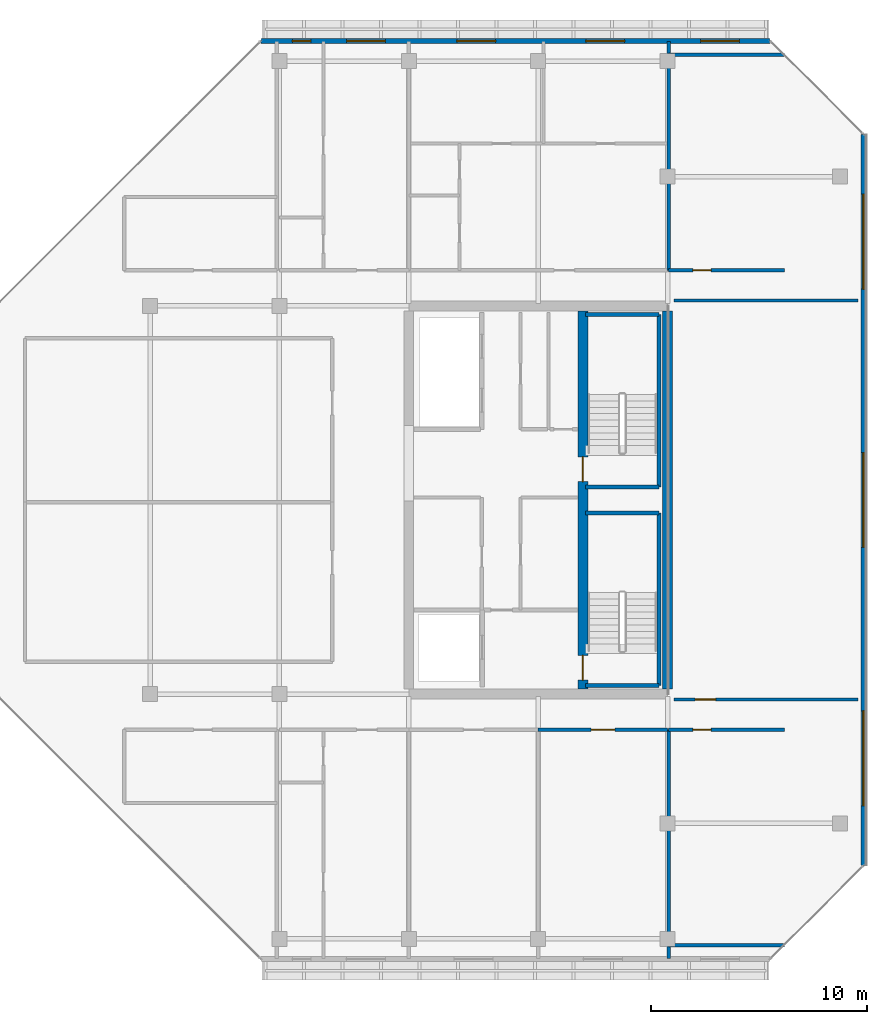
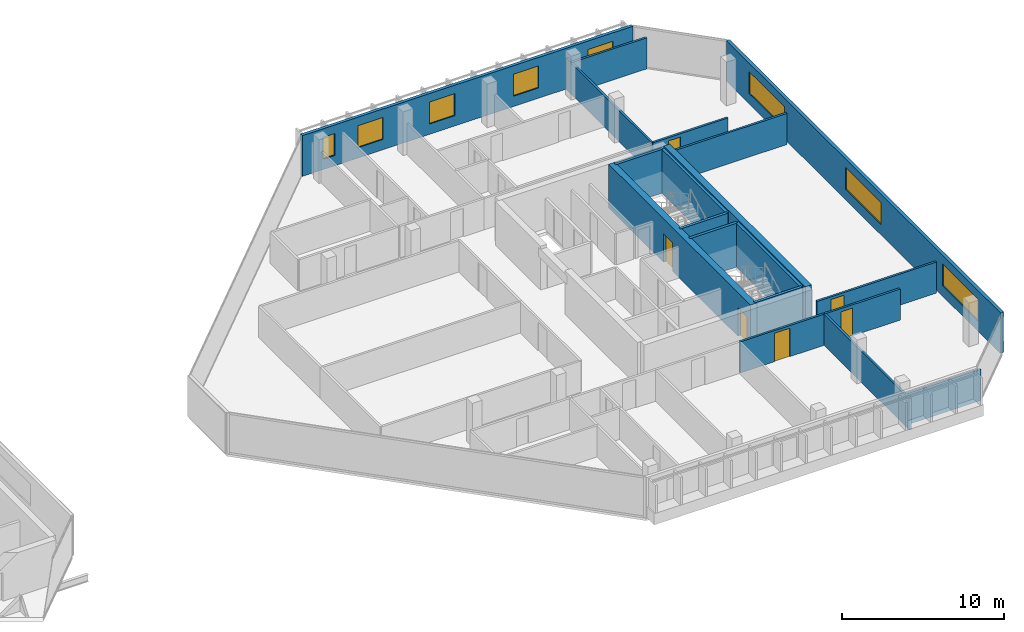
# One storey, part 24 of 28: 19 walls, 8 windows, 6 doors, 14 openings.
"""IFC4 building model written with IfcOpenShell, lengths in metres."""

from ifc_helpers import new_model, si_unit, direction, frame, frame_2d, origin, place, context, subcontext, project, spatial, rectangle, extrude, material, layer, layer_set, type_object, element, fill, save


model = new_model("IFC4")

# Units and contexts
model_context = context("Model", 3, precision=1e-05, world=origin(), true_north=direction((0.0, 1.0)))
body_context = subcontext(model_context, "Body", "Model", "MODEL_VIEW")
ifc_project = project(units=[si_unit("LENGTHUNIT", "METRE"), si_unit("AREAUNIT", "SQUARE_METRE"), si_unit("VOLUMEUNIT", "CUBIC_METRE"), si_unit("PLANEANGLEUNIT", "RADIAN"), si_unit("MASSUNIT", "GRAM", prefix="KILO")], contexts=[model_context])

# Site, building, storey
site_placement = place(None, origin())
site = spatial("IfcSite", under=ifc_project, at=site_placement, CompositionType="ELEMENT")
building_placement = place(site_placement, origin())
building = spatial("IfcBuilding", under=site, at=building_placement, Name="Tanjung Sevakor Pilgrim Tower", CompositionType="ELEMENT")
storey_placement = place(building_placement, frame((0.0, 0.0, 239.25)))
storey = spatial("IfcBuildingStorey", under=building, at=storey_placement, Name="L67", CompositionType="ELEMENT", Elevation=239.25)

# Wall
ifc_material_1 = material(Name="Concrete C60/75", Category="concrete")
ifc_layer_1 = layer(ifc_material_1, 0.449951171875)
ifc_layer_set_1 = layer_set([ifc_layer_1], Name="WALL-CW-450")
wall_type_1 = type_object("IfcWallType", Name="WALL-CW-450", PredefinedType="SHEAR", material=ifc_layer_set_1)
wall_1_placement = place(storey_placement, frame((90.0, 24.824951171875, 0.0), z_axis=(0.0, 0.0, 1.0), x_axis=(0.0, 1.0, 0.0)))
element("IfcWall", 1, at=wall_1_placement, inside=storey, type_object=wall_type_1, Name="L67 E Core Outer Shear Wall", PredefinedType="SHEAR", context=body_context, shape_type="SweptSolid", body=[
    extrude(rectangle(XDim=17.550048828125, YDim=0.449951171875, at=frame_2d((8.77490234375, 0.0))), origin(), (0.0, 0.0, 1.0), 3.300048828125),
])

# Wall, openings, doors
wall_2_placement = place(storey_placement, frame((86.074951171875, 24.824951171875, 0.0), z_axis=(0.0, 0.0, 1.0), x_axis=(0.0, 1.0, 0.0)))
wall_2 = element("IfcWall", 2, at=wall_2_placement, inside=storey, type_object=wall_type_1, Name="L67 E Core Stair Spine Wall", PredefinedType="SHEAR", context=body_context, shape_type="SweptSolid", body=[
    extrude(rectangle(XDim=17.550048828125, YDim=0.449951171875, at=frame_2d((8.77490234375, 0.0))), origin(), (0.0, 0.0, 1.0), 3.300048828125),
])
opening_1_placement = place(wall_2_placement, frame((0.425048828125, 0.0, 0.0)))
opening_1 = element("IfcOpeningElement", 3, at=opening_1_placement, cuts=wall_2, Name="Opening ID-ST1", PredefinedType="OPENING", context=body_context, shape_type="SweptSolid", body=[
    extrude(rectangle(XDim=1.14990234375, YDim=2.14990234375, at=frame_2d((0.574951171875, 1.074951171875))), frame((0.0, 0.23486328125, 0.0), z_axis=(0.0, -1.0, 0.0), x_axis=(1.0, 0.0, 0.0)), (0.0, 0.0, 1.0), 0.469970703125),
])
opening_2_placement = place(wall_2_placement, frame((9.625, 0.0, 0.0)))
opening_2 = element("IfcOpeningElement", 4, at=opening_2_placement, cuts=wall_2, Name="Opening ID-ST1", PredefinedType="OPENING", context=body_context, shape_type="SweptSolid", body=[
    extrude(rectangle(XDim=1.14990234375, YDim=2.14990234375, at=frame_2d((0.574951171875, 1.074951171875))), frame((0.0, 0.23486328125, 0.0), z_axis=(0.0, -1.0, 0.0), x_axis=(1.0, 0.0, 0.0)), (0.0, 0.0, 1.0), 0.469970703125),
])
ifc_material_2 = material(Name="Fire-Rated Steel S355J2", Category="steel")
door_type_1 = type_object("IfcDoorType", Name="DT-FIRE-1150", OperationType="NOTDEFINED", PredefinedType="DOOR", material=ifc_material_2)
door_1_placement = place(opening_1_placement, origin())
door_1 = element("IfcDoor", 5, at=door_1_placement, inside=storey, type_object=door_type_1, Name="L67 TS-E1 Stair Fire Door", OperationType="SINGLE_SWING_RIGHT", OverallHeight=2.14990234375, OverallWidth=1.14990234375, PredefinedType="DOOR", context=body_context, shape_type="SweptSolid", body=[
    extrude(rectangle(XDim=1.14990234375, YDim=2.14990234375, at=frame_2d((0.574951171875, 1.074951171875))), frame((0.0, 0.02490234375, 0.0), z_axis=(0.0, -1.0, 0.0), x_axis=(1.0, 0.0, 0.0)), (0.0, 0.0, 1.0), 0.050048828125),
])
fill(opening_1, door_1)
door_2_placement = place(opening_2_placement, origin())
door_2 = element("IfcDoor", 6, at=door_2_placement, inside=storey, type_object=door_type_1, Name="L67 TS-E2 Stair Fire Door", OperationType="SINGLE_SWING_LEFT", OverallHeight=2.14990234375, OverallWidth=1.14990234375, PredefinedType="DOOR", context=body_context, shape_type="SweptSolid", body=[
    extrude(rectangle(XDim=1.14990234375, YDim=2.14990234375, at=frame_2d((0.574951171875, 1.074951171875))), frame((0.0, 0.02490234375, 0.0), z_axis=(0.0, -1.0, 0.0), x_axis=(1.0, 0.0, 0.0)), (0.0, 0.0, 1.0), 0.050048828125),
])
fill(opening_2, door_2)

# Wall, opening, door
ifc_material_3 = material(Name="Concrete C40/50", Category="concrete")
ifc_layer_2 = layer(ifc_material_3, 0.14990234375)
ifc_layer_set_2 = layer_set([ifc_layer_2], Name="WT-COMP-150")
wall_type_2 = type_object("IfcWallType", Name="WT-COMP-150", PredefinedType="SOLIDWALL", material=ifc_layer_set_2)
wall_3_placement = place(storey_placement, frame((90.300048828125, 24.35009765625, 0.0), z_axis=(0.0, 0.0, 1.0), x_axis=(1.0, 0.0, 0.0)))
wall_3 = element("IfcWall", 7, at=wall_3_placement, inside=storey, type_object=wall_type_2, Name="L67 Partition IW-L67-041", PredefinedType="SOLIDWALL", context=body_context, shape_type="SweptSolid", body=[
    extrude(rectangle(XDim=8.52001953125, YDim=0.14990234375, at=frame_2d((4.260009765625, 0.0))), origin(), (0.0, 0.0, 1.0), 2.35009765625),
])
opening_3_placement = place(wall_3_placement, frame((0.97509765625, 0.0, 0.0)))
opening_3 = element("IfcOpeningElement", 8, at=opening_3_placement, cuts=wall_3, Name="Opening ID-RM1", PredefinedType="OPENING", context=body_context, shape_type="SweptSolid", body=[
    extrude(rectangle(XDim=0.949951171875, YDim=2.14990234375, at=frame_2d((0.47509765625, 1.074951171875))), frame((0.0, 0.0849609375, 0.0), z_axis=(0.0, -1.0, 0.0), x_axis=(1.0, 0.0, 0.0)), (0.0, 0.0, 1.0), 0.169921875),
])
ifc_material_4 = material(Name="Hardwood Timber", Category="wood")
door_type_2 = type_object("IfcDoorType", Name="DT-INT-950", OperationType="NOTDEFINED", PredefinedType="DOOR", material=ifc_material_4)
door_3_placement = place(opening_3_placement, origin())
door_3 = element("IfcDoor", 9, at=door_3_placement, inside=storey, type_object=door_type_2, Name="L67 East Crown Sanctuary Door", OperationType="SINGLE_SWING_RIGHT", OverallHeight=2.14990234375, OverallWidth=0.949951171875, PredefinedType="DOOR", context=body_context, shape_type="SweptSolid", body=[
    extrude(rectangle(XDim=0.949951171875, YDim=2.14990234375, at=frame_2d((0.47509765625, 1.074951171875))), frame((0.0, 0.02490234375, 0.0), z_axis=(0.0, -1.0, 0.0), x_axis=(1.0, 0.0, 0.0)), (0.0, 0.0, 1.0), 0.050048828125),
])
fill(opening_3, door_3)

# Walls
wall_4_placement = place(storey_placement, frame((90.300048828125, 42.85009765625, 0.0), z_axis=(0.0, 0.0, 1.0), x_axis=(1.0, 0.0, 0.0)))
element("IfcWall", 10, at=wall_4_placement, inside=storey, type_object=wall_type_2, Name="L67 Partition IW-L67-042", PredefinedType="SOLIDWALL", context=body_context, shape_type="SweptSolid", body=[
    extrude(rectangle(XDim=8.52001953125, YDim=0.14990234375, at=frame_2d((4.260009765625, 0.0))), origin(), (0.0, 0.0, 1.0), 2.35009765625),
])
wall_5_placement = place(storey_placement, frame((90.050048828125, 12.949951171875, 0.0), z_axis=(0.0, 0.0, 1.0), x_axis=(1.0, 0.0, 0.0)))
element("IfcWall", 11, at=wall_5_placement, inside=storey, type_object=wall_type_2, Name="L67 Partition IW-L67-043", PredefinedType="SOLIDWALL", context=body_context, shape_type="SweptSolid", body=[
    extrude(rectangle(XDim=5.369873046875, YDim=0.14990234375, at=frame_2d((2.68505859375, 0.0))), origin(), (0.0, 0.0, 1.0), 2.35009765625),
])

# Wall, opening, door
wall_6_placement = place(storey_placement, frame((90.050048828125, 22.949951171875, 0.0), z_axis=(0.0, 0.0, 1.0), x_axis=(1.0, 0.0, 0.0)))
wall_6 = element("IfcWall", 12, at=wall_6_placement, inside=storey, type_object=wall_type_2, Name="L67 Partition IW-L67-044", PredefinedType="SOLIDWALL", context=body_context, shape_type="SweptSolid", body=[
    extrude(rectangle(XDim=5.369873046875, YDim=0.14990234375, at=frame_2d((2.68505859375, 0.0))), origin(), (0.0, 0.0, 1.0), 2.35009765625),
])
opening_4_placement = place(wall_6_placement, frame((1.125, 0.0, 0.0)))
opening_4 = element("IfcOpeningElement", 13, at=opening_4_placement, cuts=wall_6, Name="Opening ID-WC1", PredefinedType="OPENING", context=body_context, shape_type="SweptSolid", body=[
    extrude(rectangle(XDim=0.85009765625, YDim=2.10009765625, at=frame_2d((0.425048828125, 1.050048828125))), frame((0.0, 0.0849609375, 0.0), z_axis=(0.0, -1.0, 0.0), x_axis=(1.0, 0.0, 0.0)), (0.0, 0.0, 1.0), 0.169921875),
])
ifc_material_5 = material(Name="Moisture-Resistant Timber", Category="wood")
door_type_3 = type_object("IfcDoorType", Name="DT-INT-850", OperationType="NOTDEFINED", PredefinedType="DOOR", material=ifc_material_5)
door_4_placement = place(opening_4_placement, origin())
door_4 = element("IfcDoor", 14, at=door_4_placement, inside=storey, type_object=door_type_3, Name="L67 SE Crown Study Door", OperationType="SINGLE_SWING_LEFT", OverallHeight=2.10009765625, OverallWidth=0.85009765625, PredefinedType="DOOR", context=body_context, shape_type="SweptSolid", body=[
    extrude(rectangle(XDim=0.85009765625, YDim=2.10009765625, at=frame_2d((0.425048828125, 1.050048828125))), frame((0.0, 0.02490234375, 0.0), z_axis=(0.0, -1.0, 0.0), x_axis=(1.0, 0.0, 0.0)), (0.0, 0.0, 1.0), 0.050048828125),
])
fill(opening_4, door_4)

# Wall
wall_7_placement = place(storey_placement, frame((90.050048828125, 12.340087890625, 0.0), z_axis=(0.0, 0.0, 1.0), x_axis=(0.0, 1.0, 0.0)))
element("IfcWall", 15, at=wall_7_placement, inside=storey, type_object=wall_type_2, Name="L67 Partition IW-L67-045", PredefinedType="SOLIDWALL", context=body_context, shape_type="SweptSolid", body=[
    extrude(rectangle(XDim=10.60986328125, YDim=0.14990234375, at=frame_2d((5.304931640625, 0.0))), origin(), (0.0, 0.0, 1.0), 2.35009765625),
])

# Wall, opening, door
wall_8_placement = place(storey_placement, frame((90.050048828125, 44.25, 0.0), z_axis=(0.0, 0.0, 1.0), x_axis=(1.0, 0.0, 0.0)))
wall_8 = element("IfcWall", 16, at=wall_8_placement, inside=storey, type_object=wall_type_2, Name="L67 Partition IW-L67-046", PredefinedType="SOLIDWALL", context=body_context, shape_type="SweptSolid", body=[
    extrude(rectangle(XDim=5.369873046875, YDim=0.14990234375, at=frame_2d((2.68505859375, 0.0))), origin(), (0.0, 0.0, 1.0), 2.35009765625),
])
opening_5_placement = place(wall_8_placement, frame((1.125, 0.0, 0.0)))
opening_5 = element("IfcOpeningElement", 17, at=opening_5_placement, cuts=wall_8, Name="Opening ID-WC1", PredefinedType="OPENING", context=body_context, shape_type="SweptSolid", body=[
    extrude(rectangle(XDim=0.85009765625, YDim=2.10009765625, at=frame_2d((0.425048828125, 1.050048828125))), frame((0.0, 0.0849609375, 0.0), z_axis=(0.0, -1.0, 0.0), x_axis=(1.0, 0.0, 0.0)), (0.0, 0.0, 1.0), 0.169921875),
])
door_5_placement = place(opening_5_placement, origin())
door_5 = element("IfcDoor", 18, at=door_5_placement, inside=storey, type_object=door_type_3, Name="L67 NE Crown Lounge Door", OperationType="SINGLE_SWING_RIGHT", OverallHeight=2.10009765625, OverallWidth=0.85009765625, PredefinedType="DOOR", context=body_context, shape_type="SweptSolid", body=[
    extrude(rectangle(XDim=0.85009765625, YDim=2.10009765625, at=frame_2d((0.425048828125, 1.050048828125))), frame((0.0, 0.02490234375, 0.0), z_axis=(0.0, -1.0, 0.0), x_axis=(1.0, 0.0, 0.0)), (0.0, 0.0, 1.0), 0.050048828125),
])
fill(opening_5, door_5)

# Walls
wall_9_placement = place(storey_placement, frame((90.050048828125, 54.25, 0.0), z_axis=(0.0, 0.0, 1.0), x_axis=(1.0, 0.0, 0.0)))
element("IfcWall", 19, at=wall_9_placement, inside=storey, type_object=wall_type_2, Name="L67 Partition IW-L67-047", PredefinedType="SOLIDWALL", context=body_context, shape_type="SweptSolid", body=[
    extrude(rectangle(XDim=5.369873046875, YDim=0.14990234375, at=frame_2d((2.68505859375, 0.0))), origin(), (0.0, 0.0, 1.0), 2.35009765625),
])
wall_10_placement = place(storey_placement, frame((90.050048828125, 44.25, 0.0), z_axis=(0.0, 0.0, 1.0), x_axis=(0.0, 1.0, 0.0)))
element("IfcWall", 20, at=wall_10_placement, inside=storey, type_object=wall_type_2, Name="L67 Partition IW-L67-048", PredefinedType="SOLIDWALL", context=body_context, shape_type="SweptSolid", body=[
    extrude(rectangle(XDim=10.610107421875, YDim=0.14990234375, at=frame_2d((5.30517578125, 0.0))), origin(), (0.0, 0.0, 1.0), 2.35009765625),
])

# Wall, opening, door
wall_11_placement = place(storey_placement, frame((84.0, 22.949951171875, 0.0), z_axis=(0.0, 0.0, 1.0), x_axis=(1.0, 0.0, 0.0)))
wall_11 = element("IfcWall", 21, at=wall_11_placement, inside=storey, type_object=wall_type_2, Name="L67 Partition IW-L67-055", PredefinedType="SOLIDWALL", context=body_context, shape_type="SweptSolid", body=[
    extrude(rectangle(XDim=6.0, YDim=0.14990234375, at=frame_2d((3.0, 0.0))), origin(), (0.0, 0.0, 1.0), 2.35009765625),
])
opening_6_placement = place(wall_11_placement, frame((2.449951171875, 0.0, 0.0)))
opening_6 = element("IfcOpeningElement", 22, at=opening_6_placement, cuts=wall_11, Name="Opening ID-FD0", PredefinedType="OPENING", context=body_context, shape_type="SweptSolid", body=[
    extrude(rectangle(XDim=1.10009765625, YDim=2.14990234375, at=frame_2d((0.550048828125, 1.074951171875))), frame((0.0, 0.0849609375, 0.0), z_axis=(0.0, -1.0, 0.0), x_axis=(1.0, 0.0, 0.0)), (0.0, 0.0, 1.0), 0.169921875),
])
ifc_material_6 = material(Name="Fire-Rated Steel S355J2", Category="steel")
door_type_4 = type_object("IfcDoorType", Name="DT-FIRE-1100", OperationType="NOTDEFINED", PredefinedType="DOOR", material=ifc_material_6)
door_6_placement = place(opening_6_placement, origin())
door_6 = element("IfcDoor", 23, at=door_6_placement, inside=storey, type_object=door_type_4, Name="Observatory Door", OperationType="SINGLE_SWING_LEFT", OverallHeight=2.14990234375, OverallWidth=1.10009765625, PredefinedType="DOOR", context=body_context, shape_type="SweptSolid", body=[
    extrude(rectangle(XDim=1.10009765625, YDim=2.14990234375, at=frame_2d((0.550048828125, 1.074951171875))), frame((0.0, 0.02490234375, 0.0), z_axis=(0.0, -1.0, 0.0), x_axis=(1.0, 0.0, 0.0)), (0.0, 0.0, 1.0), 0.050048828125),
])
fill(opening_6, door_6)

# Wall, openings, windows
ifc_material_7 = material(Name="Precast concrete C45/55", Category="concrete")
ifc_layer_3 = layer(ifc_material_7, 0.219970703125)
ifc_layer_set_3 = layer_set([ifc_layer_3], Name="WT-EW-STN4")
wall_type_3 = type_object("IfcWallType", Name="WT-EW-STN4", PredefinedType="SOLIDWALL", material=ifc_layer_set_3)
wall_12_placement = place(storey_placement, frame((99.090087890625, 16.6455078125, 0.0), z_axis=(0.0, 0.0, 1.0), x_axis=(0.0, 1.0, 0.0)))
wall_12 = element("IfcWall", 24, at=wall_12_placement, inside=storey, type_object=wall_type_3, Name="L67 EAST Exterior Wall 3", PredefinedType="SOLIDWALL", context=body_context, shape_type="SweptSolid", body=[
    extrude(rectangle(XDim=33.908935546875, YDim=0.219970703125, at=frame_2d((16.95458984375, 0.0))), origin(), (0.0, 0.0, 1.0), 3.080078125),
])
opening_7_placement = place(wall_12_placement, frame((14.75439453125, 0.0, 0.780029296875)))
opening_7 = element("IfcOpeningElement", 25, at=opening_7_placement, cuts=wall_12, Name="Opening WN-ENDW-1660", PredefinedType="OPENING", context=body_context, shape_type="SweptSolid", body=[
    extrude(rectangle(XDim=4.39990234375, YDim=1.659912109375, at=frame_2d((2.199951171875, 0.830078125))), frame((0.0, 0.119873046875, 0.0), z_axis=(0.0, -1.0, 0.0), x_axis=(1.0, 0.0, 0.0)), (0.0, 0.0, 1.0), 0.239990234375),
])
opening_8_placement = place(wall_12_placement, frame((2.772216796875, 0.0, 0.780029296875)))
opening_8 = element("IfcOpeningElement", 26, at=opening_8_placement, cuts=wall_12, Name="Opening WN-ENDW-1660", PredefinedType="OPENING", context=body_context, shape_type="SweptSolid", body=[
    extrude(rectangle(XDim=4.39990234375, YDim=1.659912109375, at=frame_2d((2.199951171875, 0.830078125))), frame((0.0, 0.119873046875, 0.0), z_axis=(0.0, -1.0, 0.0), x_axis=(1.0, 0.0, 0.0)), (0.0, 0.0, 1.0), 0.239990234375),
])
opening_9_placement = place(wall_12_placement, frame((26.736572265625, 0.0, 0.780029296875)))
opening_9 = element("IfcOpeningElement", 27, at=opening_9_placement, cuts=wall_12, Name="Opening WN-ENDW-1660", PredefinedType="OPENING", context=body_context, shape_type="SweptSolid", body=[
    extrude(rectangle(XDim=4.39990234375, YDim=1.659912109375, at=frame_2d((2.199951171875, 0.830078125))), frame((0.0, 0.119873046875, 0.0), z_axis=(0.0, -1.0, 0.0), x_axis=(1.0, 0.0, 0.0)), (0.0, 0.0, 1.0), 0.239990234375),
])
ifc_material_8 = material(Name="Thermally Broken Aluminium and Low-E Glass", Category="aluminium")
window_type_1 = type_object("IfcWindowType", Name="WTYP-WN-ENDW-1660", PartitioningType="DOUBLE_PANEL_VERTICAL", PredefinedType="WINDOW", material=ifc_material_8)
window_1_placement = place(opening_7_placement, origin())
window_1 = element("IfcWindow", 28, at=window_1_placement, inside=storey, type_object=window_type_1, Name="L67 Facade Window 01", OverallHeight=1.659912109375, OverallWidth=4.39990234375, PartitioningType="SINGLE_PANEL", PredefinedType="WINDOW", context=body_context, shape_type="SweptSolid", body=[
    extrude(rectangle(XDim=4.39990234375, YDim=1.659912109375, at=frame_2d((2.199951171875, 0.830078125))), frame((0.0, 0.030029296875, 0.0), z_axis=(0.0, -1.0, 0.0), x_axis=(1.0, 0.0, 0.0)), (0.0, 0.0, 1.0), 0.06005859375),
])
fill(opening_7, window_1)
window_2_placement = place(opening_8_placement, origin())
window_2 = element("IfcWindow", 29, at=window_2_placement, inside=storey, type_object=window_type_1, Name="L67 Facade Window 02", OverallHeight=1.659912109375, OverallWidth=4.39990234375, PartitioningType="SINGLE_PANEL", PredefinedType="WINDOW", context=body_context, shape_type="SweptSolid", body=[
    extrude(rectangle(XDim=4.39990234375, YDim=1.659912109375, at=frame_2d((2.199951171875, 0.830078125))), frame((0.0, 0.030029296875, 0.0), z_axis=(0.0, -1.0, 0.0), x_axis=(1.0, 0.0, 0.0)), (0.0, 0.0, 1.0), 0.06005859375),
])
fill(opening_8, window_2)
window_3_placement = place(opening_9_placement, origin())
window_3 = element("IfcWindow", 30, at=window_3_placement, inside=storey, type_object=window_type_1, Name="L67 Facade Window 03", OverallHeight=1.659912109375, OverallWidth=4.39990234375, PartitioningType="SINGLE_PANEL", PredefinedType="WINDOW", context=body_context, shape_type="SweptSolid", body=[
    extrude(rectangle(XDim=4.39990234375, YDim=1.659912109375, at=frame_2d((2.199951171875, 0.830078125))), frame((0.0, 0.030029296875, 0.0), z_axis=(0.0, -1.0, 0.0), x_axis=(1.0, 0.0, 0.0)), (0.0, 0.0, 1.0), 0.06005859375),
])
fill(opening_9, window_3)

wall_13_placement = place(storey_placement, frame((94.75439453125, 54.889892578125, 0.0), z_axis=(0.0, 0.0, 1.0), x_axis=(-1.0, 0.0, 0.0)))
wall_13 = element("IfcWall", 31, at=wall_13_placement, inside=storey, type_object=wall_type_3, Name="L67 EAST Exterior Wall 5", PredefinedType="SOLIDWALL", context=body_context, shape_type="SweptSolid", body=[
    extrude(rectangle(XDim=23.60888671875, YDim=0.219970703125, at=frame_2d((11.804443359375, 0.0))), origin(), (0.0, 0.0, 1.0), 3.080078125),
])
opening_10_placement = place(wall_13_placement, frame((1.42724609375, 0.0, 0.780029296875)))
opening_10 = element("IfcOpeningElement", 32, at=opening_10_placement, cuts=wall_13, Name="Opening WN-Z3-1660", PredefinedType="OPENING", context=body_context, shape_type="SweptSolid", body=[
    extrude(rectangle(XDim=1.800048828125, YDim=1.659912109375, at=frame_2d((0.89990234375, 0.830078125))), frame((0.0, 0.119873046875, 0.0), z_axis=(0.0, -1.0, 0.0), x_axis=(1.0, 0.0, 0.0)), (0.0, 0.0, 1.0), 0.239990234375),
])
opening_11_placement = place(wall_13_placement, frame((21.29931640625, 0.0, 0.780029296875)))
opening_11 = element("IfcOpeningElement", 33, at=opening_11_placement, cuts=wall_13, Name="Opening WN-SLM", PredefinedType="OPENING", context=body_context, shape_type="SweptSolid", body=[
    extrude(rectangle(XDim=0.85009765625, YDim=1.64990234375, at=frame_2d((0.425048828125, 0.824951171875))), frame((0.0, 0.119873046875, 0.0), z_axis=(0.0, -1.0, 0.0), x_axis=(1.0, 0.0, 0.0)), (0.0, 0.0, 1.0), 0.239990234375),
])
opening_12_placement = place(wall_13_placement, frame((17.844482421875, 0.0, 0.780029296875)))
opening_12 = element("IfcOpeningElement", 34, at=opening_12_placement, cuts=wall_13, Name="Opening WN-Z3-1660", PredefinedType="OPENING", context=body_context, shape_type="SweptSolid", body=[
    extrude(rectangle(XDim=1.800048828125, YDim=1.659912109375, at=frame_2d((0.89990234375, 0.830078125))), frame((0.0, 0.119873046875, 0.0), z_axis=(0.0, -1.0, 0.0), x_axis=(1.0, 0.0, 0.0)), (0.0, 0.0, 1.0), 0.239990234375),
])
opening_13_placement = place(wall_13_placement, frame((12.724365234375, 0.0, 0.780029296875)))
opening_13 = element("IfcOpeningElement", 35, at=opening_13_placement, cuts=wall_13, Name="Opening WN-Z3-1660", PredefinedType="OPENING", context=body_context, shape_type="SweptSolid", body=[
    extrude(rectangle(XDim=1.800048828125, YDim=1.659912109375, at=frame_2d((0.89990234375, 0.830078125))), frame((0.0, 0.119873046875, 0.0), z_axis=(0.0, -1.0, 0.0), x_axis=(1.0, 0.0, 0.0)), (0.0, 0.0, 1.0), 0.239990234375),
])
opening_14_placement = place(wall_13_placement, frame((6.744384765625, 0.0, 0.780029296875)))
opening_14 = element("IfcOpeningElement", 36, at=opening_14_placement, cuts=wall_13, Name="Opening WN-Z3-1660", PredefinedType="OPENING", context=body_context, shape_type="SweptSolid", body=[
    extrude(rectangle(XDim=1.800048828125, YDim=1.659912109375, at=frame_2d((0.89990234375, 0.830078125))), frame((0.0, 0.119873046875, 0.0), z_axis=(0.0, -1.0, 0.0), x_axis=(1.0, 0.0, 0.0)), (0.0, 0.0, 1.0), 0.239990234375),
])
ifc_material_9 = material(Name="Thermally Broken Aluminium and Low-E Glass", Category="aluminium")
window_type_2 = type_object("IfcWindowType", Name="WTYP-WN-SLM", PartitioningType="SINGLE_PANEL", PredefinedType="WINDOW", material=ifc_material_9)
window_4_placement = place(opening_11_placement, origin())
window_4 = element("IfcWindow", 37, at=window_4_placement, inside=storey, type_object=window_type_2, Name="L67 Facade Window 02", OverallHeight=1.64990234375, OverallWidth=0.85009765625, PartitioningType="SINGLE_PANEL", PredefinedType="WINDOW", context=body_context, shape_type="SweptSolid", body=[
    extrude(rectangle(XDim=0.85009765625, YDim=1.64990234375, at=frame_2d((0.425048828125, 0.824951171875))), frame((0.0, 0.030029296875, 0.0), z_axis=(0.0, -1.0, 0.0), x_axis=(1.0, 0.0, 0.0)), (0.0, 0.0, 1.0), 0.06005859375),
])
fill(opening_11, window_4)
ifc_material_10 = material(Name="Thermally Broken Aluminium and Low-E Glass", Category="aluminium")
window_type_3 = type_object("IfcWindowType", Name="WTYP-WN-Z3-1660", PartitioningType="DOUBLE_PANEL_VERTICAL", PredefinedType="WINDOW", material=ifc_material_10)
window_5_placement = place(opening_10_placement, origin())
window_5 = element("IfcWindow", 38, at=window_5_placement, inside=storey, type_object=window_type_3, Name="L67 Facade Window 01", OverallHeight=1.659912109375, OverallWidth=1.800048828125, PartitioningType="SINGLE_PANEL", PredefinedType="WINDOW", context=body_context, shape_type="SweptSolid", body=[
    extrude(rectangle(XDim=1.800048828125, YDim=1.659912109375, at=frame_2d((0.89990234375, 0.830078125))), frame((0.0, 0.030029296875, 0.0), z_axis=(0.0, -1.0, 0.0), x_axis=(1.0, 0.0, 0.0)), (0.0, 0.0, 1.0), 0.06005859375),
])
fill(opening_10, window_5)
window_6_placement = place(opening_12_placement, origin())
window_6 = element("IfcWindow", 39, at=window_6_placement, inside=storey, type_object=window_type_3, Name="L67 Facade Window 03", OverallHeight=1.659912109375, OverallWidth=1.800048828125, PartitioningType="SINGLE_PANEL", PredefinedType="WINDOW", context=body_context, shape_type="SweptSolid", body=[
    extrude(rectangle(XDim=1.800048828125, YDim=1.659912109375, at=frame_2d((0.89990234375, 0.830078125))), frame((0.0, 0.030029296875, 0.0), z_axis=(0.0, -1.0, 0.0), x_axis=(1.0, 0.0, 0.0)), (0.0, 0.0, 1.0), 0.06005859375),
])
fill(opening_12, window_6)
window_7_placement = place(opening_13_placement, origin())
window_7 = element("IfcWindow", 40, at=window_7_placement, inside=storey, type_object=window_type_3, Name="L67 Facade Window 04", OverallHeight=1.659912109375, OverallWidth=1.800048828125, PartitioningType="SINGLE_PANEL", PredefinedType="WINDOW", context=body_context, shape_type="SweptSolid", body=[
    extrude(rectangle(XDim=1.800048828125, YDim=1.659912109375, at=frame_2d((0.89990234375, 0.830078125))), frame((0.0, 0.030029296875, 0.0), z_axis=(0.0, -1.0, 0.0), x_axis=(1.0, 0.0, 0.0)), (0.0, 0.0, 1.0), 0.06005859375),
])
fill(opening_13, window_7)
window_8_placement = place(opening_14_placement, origin())
window_8 = element("IfcWindow", 41, at=window_8_placement, inside=storey, type_object=window_type_3, Name="L67 Facade Window 05", OverallHeight=1.659912109375, OverallWidth=1.800048828125, PartitioningType="SINGLE_PANEL", PredefinedType="WINDOW", context=body_context, shape_type="SweptSolid", body=[
    extrude(rectangle(XDim=1.800048828125, YDim=1.659912109375, at=frame_2d((0.89990234375, 0.830078125))), frame((0.0, 0.030029296875, 0.0), z_axis=(0.0, -1.0, 0.0), x_axis=(1.0, 0.0, 0.0)), (0.0, 0.0, 1.0), 0.06005859375),
])
fill(opening_14, window_8)

# Walls
ifc_material_11 = material(Name="Concrete C40/50", Category="concrete")
ifc_layer_4 = layer(ifc_material_11, 0.199951171875)
ifc_layer_set_4 = layer_set([ifc_layer_4], Name="WT-FIRE-200")
wall_type_4 = type_object("IfcWallType", Name="WT-FIRE-200", PredefinedType="SOLIDWALL", material=ifc_layer_set_4)
wall_14_placement = place(storey_placement, frame((86.199951171875, 25.0, 0.0), z_axis=(0.0, 0.0, 1.0), x_axis=(1.0, 0.0, 0.0)))
element("IfcWall", 42, at=wall_14_placement, inside=storey, type_object=wall_type_4, Name="L67 TS-E1 Shaft Wall 1", PredefinedType="SOLIDWALL", context=body_context, shape_type="SweptSolid", body=[
    extrude(rectangle(XDim=3.400146484375, YDim=0.199951171875, at=frame_2d((1.7001953125, 0.0))), origin(), (0.0, 0.0, 1.0), 3.300048828125),
])
wall_15_placement = place(storey_placement, frame((89.60009765625, 25.0, 0.0), z_axis=(0.0, 0.0, 1.0), x_axis=(0.0, 1.0, 0.0)))
element("IfcWall", 43, at=wall_15_placement, inside=storey, type_object=wall_type_4, Name="L67 TS-E1 Shaft Wall 2", PredefinedType="SOLIDWALL", context=body_context, shape_type="SweptSolid", body=[
    extrude(rectangle(XDim=8.0, YDim=0.199951171875, at=frame_2d((4.0, 0.0))), origin(), (0.0, 0.0, 1.0), 3.300048828125),
])
for number, where, z_axis, x_axis, name in (
    (44, (89.60009765625, 33.0, 0.0), (0.0, 0.0, 1.0), (-1.0, 0.0, 0.0), "L67 TS-E1 Shaft Wall 3"),
    (45, (86.199951171875, 34.199951171875, 0.0), (0.0, 0.0, 1.0), (1.0, 0.0, 0.0), "L67 TS-E2 Shaft Wall 1"),
):
    element("IfcWall", number, at=place(storey_placement, frame(where, z_axis=z_axis, x_axis=x_axis)), inside=storey, type_object=wall_type_4, Name=name, PredefinedType="SOLIDWALL", context=body_context, shape_type="SweptSolid", body=[
        extrude(rectangle(XDim=3.400146484375, YDim=0.199951171875, at=frame_2d((1.7001953125, 0.0))), origin(), (0.0, 0.0, 1.0), 3.300048828125),
    ])
wall_16_placement = place(storey_placement, frame((89.60009765625, 34.199951171875, 0.0), z_axis=(0.0, 0.0, 1.0), x_axis=(0.0, 1.0, 0.0)))
element("IfcWall", 46, at=wall_16_placement, inside=storey, type_object=wall_type_4, Name="L67 TS-E2 Shaft Wall 2", PredefinedType="SOLIDWALL", context=body_context, shape_type="SweptSolid", body=[
    extrude(rectangle(XDim=8.0, YDim=0.199951171875, at=frame_2d((4.0, 0.0))), origin(), (0.0, 0.0, 1.0), 3.300048828125),
])
wall_17_placement = place(storey_placement, frame((89.60009765625, 42.199951171875, 0.0), z_axis=(0.0, 0.0, 1.0), x_axis=(-1.0, 0.0, 0.0)))
element("IfcWall", 47, at=wall_17_placement, inside=storey, type_object=wall_type_4, Name="L67 TS-E2 Shaft Wall 3", PredefinedType="SOLIDWALL", context=body_context, shape_type="SweptSolid", body=[
    extrude(rectangle(XDim=3.400146484375, YDim=0.199951171875, at=frame_2d((1.7001953125, 0.0))), origin(), (0.0, 0.0, 1.0), 3.300048828125),
])

save(model, "model.ifc")
